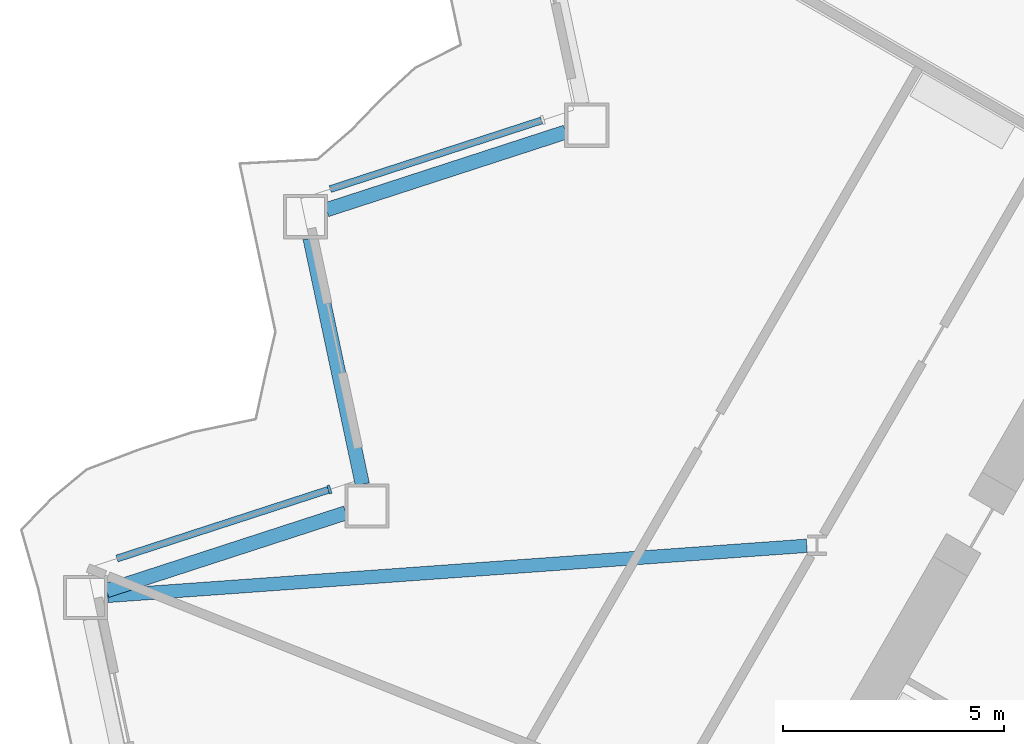
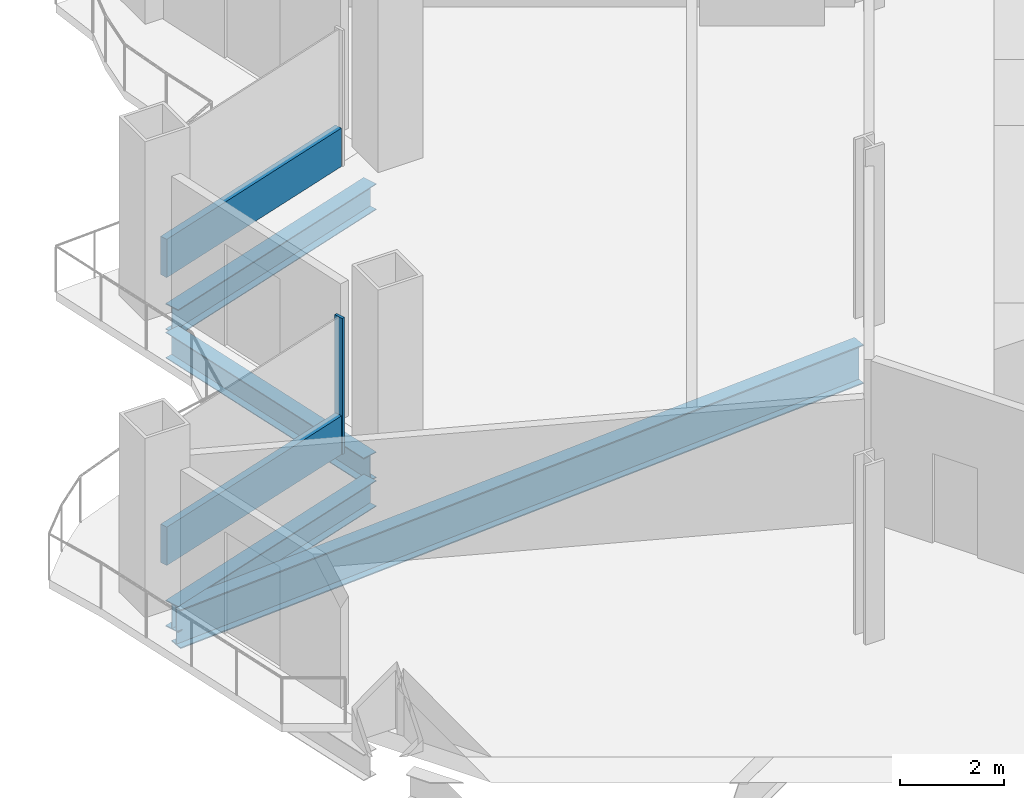
# One storey, part 3 of 20: 4 beams, 3 members, 2 elements without a shape of their own.
"""IFC4 building model written with IfcOpenShell, lengths in metres."""

from ifc_helpers import new_model, si_unit, direction, frame, origin, origin_2d, place, context, subcontext, project, spatial, rectangle, i_section, extrude, material, layer, layer_set, material_profile, profile_set, type_object, element, aggregate, save


model = new_model("IFC4")

# Units and contexts
model_context = context("Model", 3, precision=1e-05, world=origin(), true_north=direction((0.0, 1.0)))
body_context = subcontext(model_context, "Body", "Model", "MODEL_VIEW")
ifc_project = project(units=[si_unit("LENGTHUNIT", "METRE"), si_unit("AREAUNIT", "SQUARE_METRE"), si_unit("VOLUMEUNIT", "CUBIC_METRE"), si_unit("PLANEANGLEUNIT", "RADIAN"), si_unit("MASSUNIT", "GRAM", prefix="KILO")], contexts=[model_context])

# Site, building, storey
site_placement = place(None, origin())
site = spatial("IfcSite", under=ifc_project, at=site_placement, CompositionType="ELEMENT")
building_placement = place(site_placement, origin())
building = spatial("IfcBuilding", under=site, at=building_placement, Name="Cormorant Prow Tower", CompositionType="ELEMENT")
storey_placement = place(building_placement, frame((0.0, 0.0, 34.199951171875)))
storey = spatial("IfcBuildingStorey", under=building, at=storey_placement, Name="L06", CompositionType="ELEMENT", Elevation=34.199951171875)

# Curtain wall, member
ifc_material_1 = material(Name="Aluminium 6063-T6", Category="aluminium")
ifc_layer = layer(ifc_material_1, 0.199951171875)
ifc_layer_set = layer_set([ifc_layer], Name="Aluminium 6063-T6")
curtain_wall_type = type_object("IfcCurtainWallType", Name="Office unitised curtain wall 200", PredefinedType="NOTDEFINED", material=ifc_layer_set)
curtain_wall_1_placement = place(storey_placement, origin())
curtain_wall_1 = element("IfcCurtainWall", 1, at=curtain_wall_1_placement, inside=storey, type_object=curtain_wall_type, Name="Office curtain wall WNW08", PredefinedType="NOTDEFINED")
ifc_material_2 = material(Name="Aluminium 6063-T6", Category="aluminium")
ifc_material_profile_1 = material_profile(ifc_material_2, rectangle(XDim=0.199951171875, YDim=0.06005859375, at=origin_2d()), Name="Office mullion 60x200")
ifc_profile_set_1 = profile_set([ifc_material_profile_1], Name="Aluminium 6063-T6")
member_type_1 = type_object("IfcMemberType", Name="Office mullion 60x200", PredefinedType="MULLION", material=ifc_profile_set_1)
member_1_placement = place(storey_placement, frame((-26.879638671875, -1.798583984375, 0.0), z_axis=(0.0, 0.0, 1.0), x_axis=(0.309017026162, -0.951056505967, 0.0)))
member_1 = element("IfcMember", 2, at=member_1_placement, type_object=member_type_1, Name="Office mullion WNW08", PredefinedType="MULLION", context=body_context, shape_type="SweptSolid", body=[
    extrude(rectangle(XDim=0.199951171875, YDim=0.06005859375, at=origin_2d()), origin(), (0.0, 0.0, 1.0), 3.18896484375),
])

curtain_wall_2_placement = place(storey_placement, origin())
curtain_wall_2 = element("IfcCurtainWall", 3, at=curtain_wall_2_placement, inside=storey, type_object=curtain_wall_type, Name="Office curtain wall WNW06", PredefinedType="NOTDEFINED")
ifc_material_3 = material(Name="Terracotta", Category="masonry")
ifc_material_profile_2 = material_profile(ifc_material_3, rectangle(XDim=0.159912109375, YDim=0.89990234375, at=origin_2d()), Name="Office terracotta spandrel rail 160x900")
ifc_profile_set_2 = profile_set([ifc_material_profile_2], Name="Terracotta")
member_type_2 = type_object("IfcMemberType", Name="Office terracotta spandrel rail 160x900", PredefinedType="USERDEFINED", material=ifc_profile_set_2)
member_2_placement = place(storey_placement, frame((-22.090576171875, 6.536376953125, 0.449951171875), z_axis=(-0.951050518976, -0.309035451617, 0.0), x_axis=(0.309035451617, -0.951050518976, 0.0)))
member_2 = element("IfcMember", 4, at=member_2_placement, type_object=member_type_2, Name="Office spandrel rail WNW06", ObjectType="TRANSOM", PredefinedType="USERDEFINED", context=body_context, shape_type="SweptSolid", body=[
    extrude(rectangle(XDim=0.159912109375, YDim=0.89990234375, at=origin_2d()), origin(), (0.0, 0.0, 1.0), 5.0166015625),
])
aggregate(curtain_wall_2, [member_2])

# Member
member_3_placement = place(storey_placement, frame((-26.908203125, -1.807861328125, 0.449951171875), z_axis=(-0.951050518976, -0.309035451617, 0.0), x_axis=(0.309035451617, -0.951050518976, 0.0)))
member_3 = element("IfcMember", 5, at=member_3_placement, type_object=member_type_2, Name="Office spandrel rail WNW08", ObjectType="TRANSOM", PredefinedType="USERDEFINED", context=body_context, shape_type="SweptSolid", body=[
    extrude(rectangle(XDim=0.159912109375, YDim=0.89990234375, at=origin_2d()), origin(), (0.0, 0.0, 1.0), 5.0166015625),
])

aggregate(curtain_wall_1, [member_1, member_3])

# Beams
ifc_material_4 = material(Name="Structural steel ASTM A992 Gr 50", Category="steel")
ifc_material_profile_3 = material_profile(ifc_material_4, i_section(OverallWidth=0.3046875, OverallDepth=0.914794921875, WebThickness=0.0166015625, FlangeThickness=0.02587890625, at=origin_2d()), Name="W36x160")
ifc_profile_set_3 = profile_set([ifc_material_profile_3], Name="Structural steel ASTM A992 Gr 50")
beam_type_1 = type_object("IfcBeamType", Name="Radial floor beam W36x160", PredefinedType="BEAM", material=ifc_profile_set_3)
beam_1_placement = place(storey_placement, frame((-16.099365234375, -3.0703125, -0.857421875), z_axis=(-0.997443412532, -0.071460750045, 0.0), x_axis=(0.071460750045, -0.997443412532, 0.0)))
element("IfcBeam", 6, at=beam_1_placement, inside=storey, type_object=beam_type_1, Name="Radial floor beam FB1 4 L06", PredefinedType="BEAM", context=body_context, shape_type="SweptSolid", body=[
    extrude(i_section(OverallWidth=0.3046875, OverallDepth=0.914794921875, WebThickness=0.0166015625, FlangeThickness=0.02587890625, at=origin_2d()), origin(), (0.0, 0.0, 1.0), 15.831787109375),
])
ifc_material_5 = material(Name="Structural steel ASTM A992 Gr 50", Category="steel")
ifc_material_profile_4 = material_profile(ifc_material_5, i_section(OverallWidth=0.32373046875, OverallDepth=0.611083984375, WebThickness=0.0126953125, FlangeThickness=0.01904296875, at=origin_2d()), Name="W24x104")
ifc_profile_set_4 = profile_set([ifc_material_profile_4], Name="Structural steel ASTM A992 Gr 50")
beam_type_2 = type_object("IfcBeamType", Name="Spandrel beam W24x104", PredefinedType="SPANDREL", material=ifc_profile_set_4)
beam_2_placement = place(storey_placement, frame((-21.54345703125, 6.274658203125, -0.70556640625), z_axis=(-0.951061849722, -0.309000579292, 0.0), x_axis=(0.309000579292, -0.951061849722, 0.0)))
element("IfcBeam", 7, at=beam_2_placement, inside=storey, type_object=beam_type_2, Name="Spandrel beam SB1 WNW06-WNW07 L06", PredefinedType="SPANDREL", context=body_context, shape_type="SweptSolid", body=[
    extrude(i_section(OverallWidth=0.32373046875, OverallDepth=0.611083984375, WebThickness=0.0126953125, FlangeThickness=0.01904296875, at=origin_2d()), origin(), (0.0, 0.0, 1.0), 5.682373046875),
])
beam_3_placement = place(storey_placement, frame((-27.3193359375, 3.875244140625, -0.70556640625), z_axis=(0.207900376723, -0.97815000555, 0.0), x_axis=(0.97815000555, 0.207900376723, 0.0)))
element("IfcBeam", 8, at=beam_3_placement, inside=storey, type_object=beam_type_2, Name="Spandrel beam SB1 WNW07-WNW08 L06", PredefinedType="SPANDREL", context=body_context, shape_type="SweptSolid", body=[
    extrude(i_section(OverallWidth=0.32373046875, OverallDepth=0.611083984375, WebThickness=0.0126953125, FlangeThickness=0.01904296875, at=origin_2d()), origin(), (0.0, 0.0, 1.0), 5.6826171875),
])
beam_4_placement = place(storey_placement, frame((-26.509521484375, -2.32666015625, -0.70556640625), z_axis=(-0.951049222751, -0.309039440696, 0.0), x_axis=(0.309039440696, -0.951049222751, 0.0)))
element("IfcBeam", 9, at=beam_4_placement, inside=storey, type_object=beam_type_2, Name="Spandrel beam SB1 WNW08-WNW09 L06", PredefinedType="SPANDREL", context=body_context, shape_type="SweptSolid", body=[
    extrude(i_section(OverallWidth=0.32373046875, OverallDepth=0.611083984375, WebThickness=0.0126953125, FlangeThickness=0.01904296875, at=origin_2d()), origin(), (0.0, 0.0, 1.0), 5.682373046875),
])

save(model, "model.ifc")
